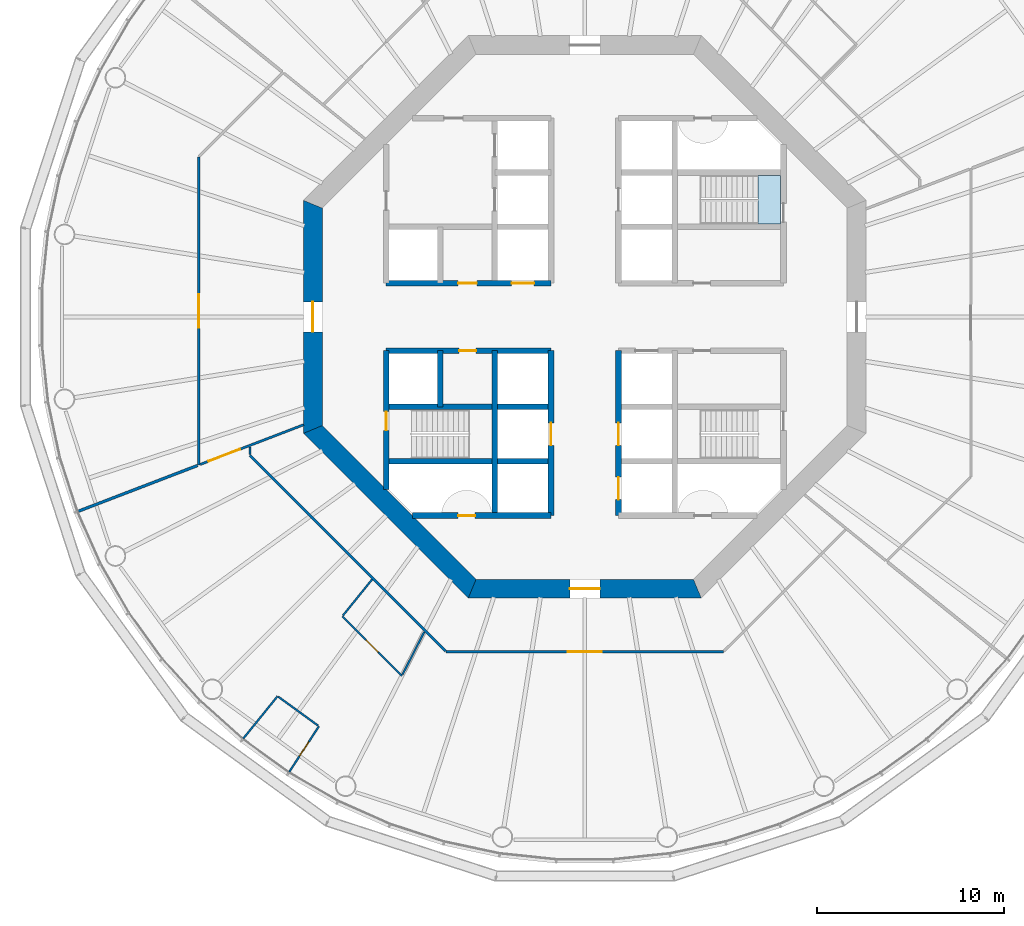
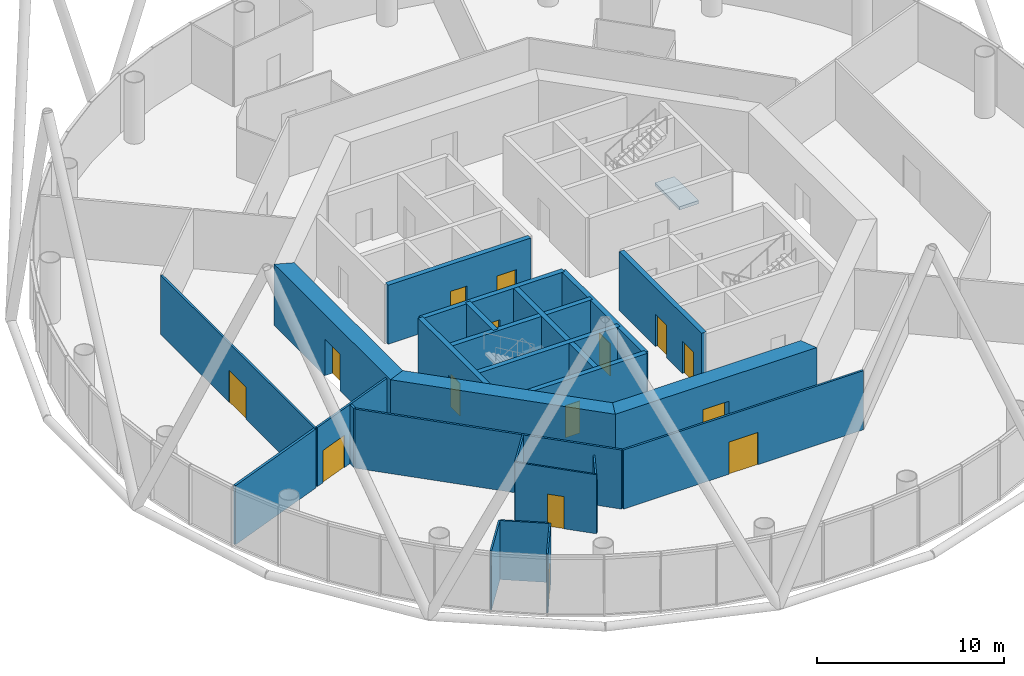
# One storey, part 3 of 12: 25 walls, 15 doors, 1 slab, 15 openings, 1 element without a shape of its own.
"""IFC4 building model written with IfcOpenShell, lengths in metres."""

import ifcopenshell
import ifcopenshell.guid

model = None  # the IFC model being written
_history = None  # IfcOwnerHistory: only IFC2X3 demands one
_inside = {}  # id of a spatial element -> (the spatial element, [elements in it])
_under = {}  # id of a project, library or spatial element -> (it, [spatial elements below it])
_declared = {}  # id of a project -> (the project, [libraries it declares])
_typed = {}  # id of a type object -> (the type object, [elements of that type])
_made_of = {}  # id of a material, layer set ... -> (it, [elements and type objects made of it])


def new_model(schema):
    """Start an empty IFC model of exactly this schema.

    Asked for "IFC4X3", IfcOpenShell would pick the latest addendum, in which some entities
    have other attributes; the version numbers below select the first issue.
    IFC2X3 requires an IfcOwnerHistory on every rooted entity: one is made here for all.
    """
    global model, _history
    if schema == "IFC4X3":
        model = ifcopenshell.file(schema_version=(4, 3, 0, 0))
    else:
        model = ifcopenshell.file(schema=schema)
    _inside.clear()
    _under.clear()
    _declared.clear()
    _typed.clear()
    _made_of.clear()
    _history = None
    if model.schema == "IFC2X3":
        org = make("IfcOrganization", Name="unknown")
        user = make(
            "IfcPersonAndOrganization",
            ThePerson=make("IfcPerson", FamilyName="unknown"),
            TheOrganization=org,
        )
        app = make(
            "IfcApplication",
            ApplicationDeveloper=org,
            Version="unknown",
            ApplicationFullName="unknown",
            ApplicationIdentifier="unknown",
        )
        _history = make(
            "IfcOwnerHistory",
            OwningUser=user,
            OwningApplication=app,
            ChangeAction="ADDED",
            CreationDate=0,
        )
    return model


def make(cls, **values):
    """One entity of the class cls with the attributes given. An attribute that is None is left unset."""
    return model.create_entity(
        cls, **{name: value for name, value in values.items() if value is not None}
    )


def rooted(cls, **values):
    """An entity with a GlobalId (a new one), such as an element, a storey or a relation."""
    return make(cls, GlobalId=ifcopenshell.guid.new(), OwnerHistory=_history, **values)


def si_unit(unit_type, name, prefix=None):
    """IfcSIUnit, for example si_unit("LENGTHUNIT", "METRE", prefix="MILLI")."""
    return make("IfcSIUnit", UnitType=unit_type, Prefix=prefix, Name=name)


def assignment(units):
    """IfcUnitAssignment: the units of a project."""
    return None if units is None else make("IfcUnitAssignment", Units=units)


def point(xyz):
    """IfcCartesianPoint."""
    return None if xyz is None else make("IfcCartesianPoint", Coordinates=xyz)


def direction(xyz):
    """IfcDirection."""
    return None if xyz is None else make("IfcDirection", DirectionRatios=xyz)


def frame(location, z_axis=None, x_axis=None):
    """IfcAxis2Placement3D, a coordinate frame: its origin and axes. An axis left out is left unset."""
    return make(
        "IfcAxis2Placement3D",
        Location=point(location),
        Axis=direction(z_axis),
        RefDirection=direction(x_axis),
    )


def frame_2d(location, x_axis=None):
    """IfcAxis2Placement2D, a coordinate frame in the plane: its origin and x axis."""
    return make(
        "IfcAxis2Placement2D", Location=point(location), RefDirection=direction(x_axis)
    )


def origin():
    """The frame at (0, 0, 0) with its axes left unset."""
    return frame((0.0, 0.0, 0.0))


def place(relative_to, where):
    """IfcLocalPlacement: puts the frame where relative to a parent placement (None: the world)."""
    return make(
        "IfcLocalPlacement", PlacementRelTo=relative_to, RelativePlacement=where
    )


def context(
    kind, dimensions, precision=None, world=None, true_north=None, identifier=None
):
    """IfcGeometricRepresentationContext, for example the 3D "Model" context."""
    return make(
        "IfcGeometricRepresentationContext",
        ContextIdentifier=identifier,
        ContextType=kind,
        CoordinateSpaceDimension=dimensions,
        Precision=precision,
        WorldCoordinateSystem=world,
        TrueNorth=true_north,
    )


def subcontext(parent, identifier, kind, view, scale=None):
    """IfcGeometricRepresentationSubContext, for example "Body" below "Model"."""
    return make(
        "IfcGeometricRepresentationSubContext",
        ContextIdentifier=identifier,
        ContextType=kind,
        ParentContext=parent,
        TargetScale=scale,
        TargetView=view,
    )


def project(units=None, contexts=None):
    """IfcProject with its units and contexts."""
    return rooted(
        "IfcProject",
        Name="project",
        RepresentationContexts=contexts,
        UnitsInContext=assignment(units),
    )


def spatial(cls, under=None, at=None, **own):
    """A site, building, storey or space (cls), placed at a placement, below another one or the project."""
    s = rooted(cls, ObjectPlacement=at, **own)
    if under is not None:
        _under.setdefault(under.id(), (under, []))[1].append(s)
    return s


def polyline(points):
    """IfcPolyline through the points."""
    return make("IfcPolyline", Points=[point(p) for p in points])


def profile(cls, at=None, kind="AREA", **sizes):
    """A parametric profile (cls). Its sizes go by their IFC names, for example OverallWidth=200.0."""
    return make(cls, ProfileType=kind, Position=at, **sizes)


def rectangle(**sizes):
    """IfcRectangleProfileDef."""
    return profile("IfcRectangleProfileDef", **sizes)


def outline(outer, holes=None, kind="AREA"):
    """IfcArbitraryClosedProfileDef: a profile drawn as a closed curve; with holes, ...WithVoids."""
    if holes is None:
        return make("IfcArbitraryClosedProfileDef", ProfileType=kind, OuterCurve=outer)
    return make(
        "IfcArbitraryProfileDefWithVoids",
        ProfileType=kind,
        OuterCurve=outer,
        InnerCurves=holes,
    )


def extrude(swept, where, along, depth):
    """IfcExtrudedAreaSolid: the profile swept, set in the frame where, extruded along a direction by depth."""
    return make(
        "IfcExtrudedAreaSolid",
        SweptArea=swept,
        Position=where,
        ExtrudedDirection=direction(along),
        Depth=depth,
    )


def shape(context_of_items, identifier, shape_type, items):
    """IfcShapeRepresentation: the items that make up one representation, for example the "Body"."""
    return make(
        "IfcShapeRepresentation",
        ContextOfItems=context_of_items,
        RepresentationIdentifier=identifier,
        RepresentationType=shape_type,
        Items=items,
    )


def material(Name=None, Category=None):
    """IfcMaterial."""
    return make("IfcMaterial", Name=Name, Category=Category)


def layer(
    of_material, thickness, ventilated=None, Name=None, Category=None, Priority=None
):
    """IfcMaterialLayer: one layer of a wall or slab, of a material (None: an air gap)."""
    return make(
        "IfcMaterialLayer",
        Material=of_material,
        LayerThickness=thickness,
        IsVentilated=ventilated,
        Name=Name,
        Category=Category,
        Priority=Priority,
    )


def layer_set(layers, Name=None):
    """IfcMaterialLayerSet."""
    return make("IfcMaterialLayerSet", MaterialLayers=layers, LayerSetName=Name)


def made_of(thing, what):
    """Note that an element or type object is made of a material, layer set ...; save() writes the relation."""
    if what is not None:
        _made_of.setdefault(what.id(), (what, []))[1].append(thing)
    return thing


def type_object(cls, material=None, **own):
    """A type object (cls), such as IfcWallType, which elements share."""
    return made_of(rooted(cls, **own), material)


def element(
    cls,
    number,
    at=None,
    inside=None,
    cuts=None,
    type_object=None,
    material=None,
    context=None,
    identifier="Body",
    shape_type=None,
    held_by="IfcProductDefinitionShape",
    body=None,
    shapes=None,
    **own,
):
    """One element of the class cls, such as IfcWall. Its Tag is "e" and its number.

    at: its placement. inside: the storey or other place that contains it. cuts: it is an
    opening in that element (IfcRelVoidsElement). A single representation is given by context,
    identifier, shape_type and body (its items); several are given by shapes. held_by: the class
    of the entity that holds the representations. save() writes the other relations.
    """
    e = rooted(cls, Tag="e%d" % number, ObjectPlacement=at, **own)
    if body is not None:
        shapes = [shape(context, identifier, shape_type, body)]
    if shapes is not None:
        e.Representation = make(held_by, Representations=shapes)
    if inside is not None:
        _inside.setdefault(inside.id(), (inside, []))[1].append(e)
    if cuts is not None:
        rooted(
            "IfcRelVoidsElement", RelatingBuildingElement=cuts, RelatedOpeningElement=e
        )
    if type_object is not None:
        _typed.setdefault(type_object.id(), (type_object, []))[1].append(e)
    return made_of(e, material)


def fill(opening, filler):
    """IfcRelFillsElement: the door or window that sits in an opening."""
    return rooted(
        "IfcRelFillsElement",
        RelatingOpeningElement=opening,
        RelatedBuildingElement=filler,
    )


def aggregate(whole, parts):
    """IfcRelAggregates: a whole, such as a stair, and the parts it consists of."""
    return rooted("IfcRelAggregates", RelatingObject=whole, RelatedObjects=parts)


def save(model, path):
    """Write the relations noted so far, then the file.

    IfcRelAggregates (storeys below a building ...), IfcRelContainedInSpatialStructure (elements
    in a storey), IfcRelDefinesByType, IfcRelAssociatesMaterial and IfcRelDeclares: one each for
    every whole, place, type object, material and project.
    """
    for whole, parts in _under.values():
        aggregate(whole, parts)
    for where, things in _inside.values():
        rooted(
            "IfcRelContainedInSpatialStructure",
            RelatedElements=things,
            RelatingStructure=where,
        )
    for kind, things in _typed.values():
        rooted("IfcRelDefinesByType", RelatedObjects=things, RelatingType=kind)
    for what, things in _made_of.values():
        rooted("IfcRelAssociatesMaterial", RelatedObjects=things, RelatingMaterial=what)
    for by, libraries in _declared.values():
        rooted("IfcRelDeclares", RelatingContext=by, RelatedDefinitions=libraries)
    model.write(path)


model = new_model("IFC4")

# Units and contexts
model_context = context("Model", 3, precision=1e-05, world=origin(), true_north=direction((0.0, 1.0)))
body_context = subcontext(model_context, "Body", "Model", "MODEL_VIEW")
ifc_project = project(units=[si_unit("LENGTHUNIT", "METRE"), si_unit("AREAUNIT", "SQUARE_METRE"), si_unit("VOLUMEUNIT", "CUBIC_METRE"), si_unit("PLANEANGLEUNIT", "RADIAN"), si_unit("MASSUNIT", "GRAM", prefix="KILO")], contexts=[model_context])

# Site, building, storey
site_placement = place(None, origin())
site = spatial("IfcSite", under=ifc_project, at=site_placement, CompositionType="ELEMENT")
building_placement = place(site_placement, origin())
building = spatial("IfcBuilding", under=site, at=building_placement, Name="Entoto Ring Tower", CompositionType="ELEMENT")
storey_placement = place(building_placement, frame((0.0, 0.0, 144.0)))
storey = spatial("IfcBuildingStorey", under=building, at=storey_placement, Name="L32", CompositionType="ELEMENT", Elevation=144.0)

# Stair, slab
ifc_material_1 = material(Name="Concrete C40/50", Category="concrete")
stair_type = type_object("IfcStairType", Name="Exit stair 1200 mm dog-leg reinforced concrete", PredefinedType="HALF_TURN_STAIR", material=ifc_material_1)
stair_placement = place(storey_placement, origin())
stair = element("IfcStair", 1, at=stair_placement, inside=storey, type_object=stair_type, Name="Exit stair 1", PredefinedType="HALF_TURN_STAIR")
ifc_material_2 = material(Name="Concrete C40/50", Category="concrete")
ifc_layer_1 = layer(ifc_material_2, 0.199951171875)
ifc_layer_set_1 = layer_set([ifc_layer_1], Name="Concrete C40/50")
slab_type = type_object("IfcSlabType", Name="Stair landing 200 mm reinforced concrete", PredefinedType="LANDING", material=ifc_layer_set_1)
slab_placement = place(storey_placement, frame((0.0, 0.0, -0.199951171875)))
slab = element("IfcSlab", 2, at=slab_placement, type_object=slab_type, Name="ST1 landing 1", PredefinedType="LANDING", context=body_context, shape_type="SweptSolid", body=[
    extrude(outline(polyline([(100.449951171875, 84.949951171875), (100.449951171875, 87.550048828125), (99.25, 87.550048828125), (99.25, 84.949951171875), (100.449951171875, 84.949951171875)])), origin(), (0.0, 0.0, 1.0), 0.199951171875),
])
aggregate(stair, [slab])

# Wall, openings, doors
ifc_material_3 = material(Name="Concrete C40/50", Category="concrete")
ifc_layer_2 = layer(ifc_material_3, 0.300048828125)
ifc_layer_set_2 = layer_set([ifc_layer_2], Name="Concrete C40/50")
wall_type_1 = type_object("IfcWallType", Name="Core enclosure wall 300 mm reinforced concrete", PredefinedType="SOLIDWALL", material=ifc_layer_set_2)
wall_1_placement = place(storey_placement, frame((91.800048828125, 69.39990234375, 0.0), z_axis=(0.0, 0.0, 1.0), x_axis=(0.0, 1.0, 0.0)))
wall_1 = element("IfcWall", 3, at=wall_1_placement, inside=storey, type_object=wall_type_1, Name="wall-L32-005", PredefinedType="SOLIDWALL", context=body_context, shape_type="SweptSolid", body=[
    extrude(rectangle(XDim=8.800048828125, YDim=0.300048828125, at=frame_2d((4.39990234375, 0.0))), origin(), (0.0, 0.0, 1.0), 3.85009765625),
])
opening_1_placement = place(wall_1_placement, frame((3.75, 0.0, 0.0)))
opening_1 = element("IfcOpeningElement", 4, at=opening_1_placement, cuts=wall_1, Name="Opening LD", PredefinedType="OPENING", context=body_context, shape_type="SweptSolid", body=[
    extrude(rectangle(XDim=1.199951171875, YDim=2.10009765625, at=frame_2d((0.60009765625, 1.050048828125))), frame((0.0, 0.16015625, 0.0), z_axis=(0.0, -1.0, 0.0), x_axis=(1.0, 0.0, 0.0)), (0.0, 0.0, 1.0), 0.320068359375),
])
opening_2_placement = place(wall_1_placement, frame((0.85009765625, 0.0, 0.0)))
opening_2 = element("IfcOpeningElement", 5, at=opening_2_placement, cuts=wall_1, Name="Opening LD", PredefinedType="OPENING", context=body_context, shape_type="SweptSolid", body=[
    extrude(rectangle(XDim=1.199951171875, YDim=2.10009765625, at=frame_2d((0.60009765625, 1.050048828125))), frame((0.0, 0.16015625, 0.0), z_axis=(0.0, -1.0, 0.0), x_axis=(1.0, 0.0, 0.0)), (0.0, 0.0, 1.0), 0.320068359375),
])
ifc_material_4 = material(Name="Steel and glass door leaf", Category="steel")
ifc_layer_3 = layer(ifc_material_4, 0.050048828125)
ifc_layer_set_3 = layer_set([ifc_layer_3], Name="Steel and glass door leaf")
door_type_1 = type_object("IfcDoorType", Name="Landing door 1200 x 2100 sliding", OperationType="DOUBLE_DOOR_SLIDING", PredefinedType="DOOR", material=ifc_layer_set_3)
door_1_placement = place(opening_1_placement, origin())
door_1 = element("IfcDoor", 6, at=door_1_placement, inside=storey, type_object=door_type_1, Name="Landing door LB2-MR", OperationType="SLIDING_TO_RIGHT", OverallHeight=2.10009765625, OverallWidth=1.199951171875, PredefinedType="DOOR", context=body_context, shape_type="SweptSolid", body=[
    extrude(rectangle(XDim=1.199951171875, YDim=2.10009765625, at=frame_2d((0.60009765625, 1.050048828125))), frame((0.0, 0.02490234375, 0.0), z_axis=(0.0, -1.0, 0.0), x_axis=(1.0, 0.0, 0.0)), (0.0, 0.0, 1.0), 0.050048828125),
])
fill(opening_1, door_1)
door_2_placement = place(opening_2_placement, origin())
door_2 = element("IfcDoor", 7, at=door_2_placement, inside=storey, type_object=door_type_1, Name="Landing door LB3-MR", OperationType="SLIDING_TO_RIGHT", OverallHeight=2.10009765625, OverallWidth=1.199951171875, PredefinedType="DOOR", context=body_context, shape_type="SweptSolid", body=[
    extrude(rectangle(XDim=1.199951171875, YDim=2.10009765625, at=frame_2d((0.60009765625, 1.050048828125))), frame((0.0, 0.02490234375, 0.0), z_axis=(0.0, -1.0, 0.0), x_axis=(1.0, 0.0, 0.0)), (0.0, 0.0, 1.0), 0.050048828125),
])
fill(opening_2, door_2)

# Wall, opening, door
wall_2_placement = place(storey_placement, frame((88.199951171875, 69.39990234375, 0.0), z_axis=(0.0, 0.0, 1.0), x_axis=(0.0, 1.0, 0.0)))
wall_2 = element("IfcWall", 8, at=wall_2_placement, inside=storey, type_object=wall_type_1, Name="wall-L32-007", PredefinedType="SOLIDWALL", context=body_context, shape_type="SweptSolid", body=[
    extrude(rectangle(XDim=8.800048828125, YDim=0.300048828125, at=frame_2d((4.39990234375, 0.0))), origin(), (0.0, 0.0, 1.0), 3.85009765625),
])
opening_3_placement = place(wall_2_placement, frame((3.75, 0.0, 0.0)))
opening_3 = element("IfcOpeningElement", 9, at=opening_3_placement, cuts=wall_2, Name="Opening LD", PredefinedType="OPENING", context=body_context, shape_type="SweptSolid", body=[
    extrude(rectangle(XDim=1.199951171875, YDim=2.10009765625, at=frame_2d((0.60009765625, 1.050048828125))), frame((0.0, 0.16015625, 0.0), z_axis=(0.0, -1.0, 0.0), x_axis=(1.0, 0.0, 0.0)), (0.0, 0.0, 1.0), 0.320068359375),
])
door_3_placement = place(opening_3_placement, origin())
door_3 = element("IfcDoor", 10, at=door_3_placement, inside=storey, type_object=door_type_1, Name="Landing door LB4-MR", OperationType="SLIDING_TO_RIGHT", OverallHeight=2.10009765625, OverallWidth=1.199951171875, PredefinedType="DOOR", context=body_context, shape_type="SweptSolid", body=[
    extrude(rectangle(XDim=1.199951171875, YDim=2.10009765625, at=frame_2d((0.60009765625, 1.050048828125))), frame((0.0, 0.02490234375, 0.0), z_axis=(0.0, -1.0, 0.0), x_axis=(1.0, 0.0, 0.0)), (0.0, 0.0, 1.0), 0.050048828125),
])
fill(opening_3, door_3)

# Walls
wall_3_placement = place(storey_placement, frame((85.199951171875, 69.39990234375, 0.0), z_axis=(0.0, 0.0, 1.0), x_axis=(0.0, 1.0, 0.0)))
element("IfcWall", 11, at=wall_3_placement, inside=storey, type_object=wall_type_1, Name="wall-L32-009", PredefinedType="SOLIDWALL", context=body_context, shape_type="SweptSolid", body=[
    extrude(rectangle(XDim=8.800048828125, YDim=0.300048828125, at=frame_2d((4.39990234375, 0.0))), origin(), (0.0, 0.0, 1.0), 3.85009765625),
])
wall_4_placement = place(storey_placement, frame((82.300048828125, 75.199951171875, 0.0), z_axis=(0.0, 0.0, 1.0), x_axis=(0.0, 1.0, 0.0)))
element("IfcWall", 12, at=wall_4_placement, inside=storey, type_object=wall_type_1, Name="wall-L32-011", PredefinedType="SOLIDWALL", context=body_context, shape_type="SweptSolid", body=[
    extrude(rectangle(XDim=3.0, YDim=0.300048828125, at=frame_2d((1.5, 0.0))), origin(), (0.0, 0.0, 1.0), 3.85009765625),
])

# Wall, opening, door
wall_5_placement = place(storey_placement, frame((79.39990234375, 70.801025390625, 0.0), z_axis=(0.0, 0.0, 1.0), x_axis=(0.0, 1.0, 0.0)))
wall_5 = element("IfcWall", 13, at=wall_5_placement, inside=storey, type_object=wall_type_1, Name="wall-L32-013", PredefinedType="SOLIDWALL", context=body_context, shape_type="SweptSolid", body=[
    extrude(rectangle(XDim=7.39892578125, YDim=0.300048828125, at=frame_2d((3.699462890625, 0.0))), origin(), (0.0, 0.0, 1.0), 3.85009765625),
])
opening_4_placement = place(wall_5_placement, frame((3.14892578125, 0.0, 0.0)))
opening_4 = element("IfcOpeningElement", 14, at=opening_4_placement, cuts=wall_5, Name="Opening K-55", PredefinedType="OPENING", context=body_context, shape_type="SweptSolid", body=[
    extrude(rectangle(XDim=1.0, YDim=2.10009765625, at=frame_2d((0.5, 1.050048828125))), frame((0.0, 0.16015625, 0.0), z_axis=(0.0, -1.0, 0.0), x_axis=(1.0, 0.0, 0.0)), (0.0, 0.0, 1.0), 0.320068359375),
])
ifc_material_5 = material(Name="Steel door leaf, fire rated", Category="steel")
ifc_layer_4 = layer(ifc_material_5, 0.050048828125)
ifc_layer_set_4 = layer_set([ifc_layer_4], Name="Steel door leaf, fire rated")
door_type_2 = type_object("IfcDoorType", Name="Fire door FD60 1000 x 2100 single leaf", OperationType="NOTDEFINED", PredefinedType="DOOR", material=ifc_layer_set_4)
door_4_placement = place(opening_4_placement, frame((1.0, 0.0, 0.0), z_axis=(0.0, 0.0, 1.0), x_axis=(-1.0, 0.0, 0.0)))
door_4 = element("IfcDoor", 15, at=door_4_placement, inside=storey, type_object=door_type_2, Name="Door K-55", OperationType="SINGLE_SWING_LEFT", OverallHeight=2.10009765625, OverallWidth=1.0, PredefinedType="DOOR", context=body_context, shape_type="SweptSolid", body=[
    extrude(rectangle(XDim=1.0, YDim=2.10009765625, at=frame_2d((0.5, 1.050048828125))), frame((0.0, 0.02490234375, 0.0), z_axis=(0.0, -1.0, 0.0), x_axis=(1.0, 0.0, 0.0)), (0.0, 0.0, 1.0), 0.050048828125),
])
fill(opening_4, door_4)

wall_6_placement = place(storey_placement, frame((80.801025390625, 69.39990234375, 0.0), z_axis=(0.0, 0.0, 1.0), x_axis=(1.0, 0.0, 0.0)))
wall_6 = element("IfcWall", 16, at=wall_6_placement, inside=storey, type_object=wall_type_1, Name="wall-L32-015", PredefinedType="SOLIDWALL", context=body_context, shape_type="SweptSolid", body=[
    extrude(rectangle(XDim=7.39892578125, YDim=0.300048828125, at=frame_2d((3.699462890625, 0.0))), origin(), (0.0, 0.0, 1.0), 3.85009765625),
])
opening_5_placement = place(wall_6_placement, frame((2.448974609375, 0.0, 0.0)))
opening_5 = element("IfcOpeningElement", 17, at=opening_5_placement, cuts=wall_6, Name="Opening K-62", PredefinedType="OPENING", context=body_context, shape_type="SweptSolid", body=[
    extrude(rectangle(XDim=0.89990234375, YDim=2.10009765625, at=frame_2d((0.449951171875, 1.050048828125))), frame((0.0, 0.16015625, 0.0), z_axis=(0.0, -1.0, 0.0), x_axis=(1.0, 0.0, 0.0)), (0.0, 0.0, 1.0), 0.320068359375),
])
ifc_material_6 = material(Name="Steel door leaf, fire rated", Category="steel")
ifc_layer_5 = layer(ifc_material_6, 0.050048828125)
ifc_layer_set_5 = layer_set([ifc_layer_5], Name="Steel door leaf, fire rated")
door_type_3 = type_object("IfcDoorType", Name="Riser door FD60 900 x 2100 single leaf", OperationType="NOTDEFINED", PredefinedType="DOOR", material=ifc_layer_set_5)
door_5_placement = place(opening_5_placement, origin())
door_5 = element("IfcDoor", 18, at=door_5_placement, inside=storey, type_object=door_type_3, Name="Door K-62", OperationType="SINGLE_SWING_RIGHT", OverallHeight=2.10009765625, OverallWidth=0.89990234375, PredefinedType="DOOR", context=body_context, shape_type="SweptSolid", body=[
    extrude(rectangle(XDim=0.89990234375, YDim=2.10009765625, at=frame_2d((0.449951171875, 1.050048828125))), frame((0.0, 0.02490234375, 0.0), z_axis=(0.0, -1.0, 0.0), x_axis=(1.0, 0.0, 0.0)), (0.0, 0.0, 1.0), 0.050048828125),
])
fill(opening_5, door_5)

# Walls
for number, where, z_axis, x_axis, name in (
    (19, (79.39990234375, 72.300048828125, 0.0), (0.0, 0.0, 1.0), (1.0, 0.0, 0.0), "wall-L32-017"),
    (20, (79.39990234375, 75.199951171875, 0.0), (0.0, 0.0, 1.0), (1.0, 0.0, 0.0), "wall-L32-019"),
):
    element("IfcWall", number, at=place(storey_placement, frame(where, z_axis=z_axis, x_axis=x_axis)), inside=storey, type_object=wall_type_1, Name=name, PredefinedType="SOLIDWALL", context=body_context, shape_type="SweptSolid", body=[
        extrude(rectangle(XDim=8.800048828125, YDim=0.300048828125, at=frame_2d((4.39990234375, 0.0))), origin(), (0.0, 0.0, 1.0), 3.85009765625),
    ])

# Wall, opening, door
wall_7_placement = place(storey_placement, frame((79.39990234375, 78.199951171875, 0.0), z_axis=(0.0, 0.0, 1.0), x_axis=(1.0, 0.0, 0.0)))
wall_7 = element("IfcWall", 21, at=wall_7_placement, inside=storey, type_object=wall_type_1, Name="wall-L32-021", PredefinedType="SOLIDWALL", context=body_context, shape_type="SweptSolid", body=[
    extrude(rectangle(XDim=8.800048828125, YDim=0.300048828125, at=frame_2d((4.39990234375, 0.0))), origin(), (0.0, 0.0, 1.0), 3.85009765625),
])
opening_6_placement = place(wall_7_placement, frame((3.89990234375, 0.0, 0.0)))
opening_6 = element("IfcOpeningElement", 22, at=opening_6_placement, cuts=wall_7, Name="Opening K-14", PredefinedType="OPENING", context=body_context, shape_type="SweptSolid", body=[
    extrude(rectangle(XDim=0.89990234375, YDim=2.10009765625, at=frame_2d((0.449951171875, 1.050048828125))), frame((0.0, 0.16015625, 0.0), z_axis=(0.0, -1.0, 0.0), x_axis=(1.0, 0.0, 0.0)), (0.0, 0.0, 1.0), 0.320068359375),
])
ifc_material_7 = material(Name="Steel door leaf, fire rated", Category="steel")
ifc_layer_6 = layer(ifc_material_7, 0.050048828125)
ifc_layer_set_6 = layer_set([ifc_layer_6], Name="Steel door leaf, fire rated")
door_type_4 = type_object("IfcDoorType", Name="Core door 900 x 2100 single leaf", OperationType="NOTDEFINED", PredefinedType="DOOR", material=ifc_layer_set_6)
door_6_placement = place(opening_6_placement, frame((0.89990234375, 0.0, 0.0), z_axis=(0.0, 0.0, 1.0), x_axis=(-1.0, 0.0, 0.0)))
door_6 = element("IfcDoor", 23, at=door_6_placement, inside=storey, type_object=door_type_4, Name="Door K-14", OperationType="SINGLE_SWING_LEFT", OverallHeight=2.10009765625, OverallWidth=0.89990234375, PredefinedType="DOOR", context=body_context, shape_type="SweptSolid", body=[
    extrude(rectangle(XDim=0.89990234375, YDim=2.10009765625, at=frame_2d((0.449951171875, 1.050048828125))), frame((0.0, 0.02490234375, 0.0), z_axis=(0.0, -1.0, 0.0), x_axis=(1.0, 0.0, 0.0)), (0.0, 0.0, 1.0), 0.050048828125),
])
fill(opening_6, door_6)

# Wall, openings, doors
wall_8_placement = place(storey_placement, frame((79.39990234375, 81.800048828125, 0.0), z_axis=(0.0, 0.0, 1.0), x_axis=(1.0, 0.0, 0.0)))
wall_8 = element("IfcWall", 24, at=wall_8_placement, inside=storey, type_object=wall_type_1, Name="wall-L32-023", PredefinedType="SOLIDWALL", context=body_context, shape_type="SweptSolid", body=[
    extrude(rectangle(XDim=8.800048828125, YDim=0.300048828125, at=frame_2d((4.39990234375, 0.0))), origin(), (0.0, 0.0, 1.0), 3.85009765625),
])
opening_7_placement = place(wall_8_placement, frame((6.699951171875, 0.0, 0.0)))
opening_7 = element("IfcOpeningElement", 25, at=opening_7_placement, cuts=wall_8, Name="Opening LD", PredefinedType="OPENING", context=body_context, shape_type="SweptSolid", body=[
    extrude(rectangle(XDim=1.199951171875, YDim=2.10009765625, at=frame_2d((0.60009765625, 1.050048828125))), frame((0.0, 0.16015625, 0.0), z_axis=(0.0, -1.0, 0.0), x_axis=(1.0, 0.0, 0.0)), (0.0, 0.0, 1.0), 0.320068359375),
])
opening_8_placement = place(wall_8_placement, frame((3.85009765625, 0.0, 0.0)))
opening_8 = element("IfcOpeningElement", 26, at=opening_8_placement, cuts=wall_8, Name="Opening K-13", PredefinedType="OPENING", context=body_context, shape_type="SweptSolid", body=[
    extrude(rectangle(XDim=1.0, YDim=2.10009765625, at=frame_2d((0.5, 1.050048828125))), frame((0.0, 0.16015625, 0.0), z_axis=(0.0, -1.0, 0.0), x_axis=(1.0, 0.0, 0.0)), (0.0, 0.0, 1.0), 0.320068359375),
])
ifc_material_8 = material(Name="Steel door leaf, fire rated", Category="steel")
ifc_layer_7 = layer(ifc_material_8, 0.050048828125)
ifc_layer_set_7 = layer_set([ifc_layer_7], Name="Steel door leaf, fire rated")
door_type_5 = type_object("IfcDoorType", Name="Accessible door 1000 x 2100 single leaf", OperationType="NOTDEFINED", PredefinedType="DOOR", material=ifc_layer_set_7)
door_7_placement = place(opening_8_placement, origin())
door_7 = element("IfcDoor", 27, at=door_7_placement, inside=storey, type_object=door_type_5, Name="Door K-13", OperationType="SINGLE_SWING_LEFT", OverallHeight=2.10009765625, OverallWidth=1.0, PredefinedType="DOOR", context=body_context, shape_type="SweptSolid", body=[
    extrude(rectangle(XDim=1.0, YDim=2.10009765625, at=frame_2d((0.5, 1.050048828125))), frame((0.0, 0.02490234375, 0.0), z_axis=(0.0, -1.0, 0.0), x_axis=(1.0, 0.0, 0.0)), (0.0, 0.0, 1.0), 0.050048828125),
])
fill(opening_8, door_7)
door_8_placement = place(opening_7_placement, origin())
door_8 = element("IfcDoor", 28, at=door_8_placement, inside=storey, type_object=door_type_1, Name="Landing door LB5-MR", OperationType="SLIDING_TO_LEFT", OverallHeight=2.10009765625, OverallWidth=1.199951171875, PredefinedType="DOOR", context=body_context, shape_type="SweptSolid", body=[
    extrude(rectangle(XDim=1.199951171875, YDim=2.10009765625, at=frame_2d((0.60009765625, 1.050048828125))), frame((0.0, 0.02490234375, 0.0), z_axis=(0.0, -1.0, 0.0), x_axis=(1.0, 0.0, 0.0)), (0.0, 0.0, 1.0), 0.050048828125),
])
fill(opening_7, door_8)

# Wall, opening, door
ifc_material_9 = material(Name="Concrete C50/60", Category="concrete")
ifc_layer_8 = layer(ifc_material_9, 1.0)
ifc_layer_set_8 = layer_set([ifc_layer_8], Name="Concrete C50/60")
wall_type_2 = type_object("IfcWallType", Name="Core shear wall 1000 mm reinforced concrete C50/60", PredefinedType="SHEAR", material=ifc_layer_set_8)
wall_9_placement = place(storey_placement, frame((75.5, 86.006103515625, 0.0), z_axis=(0.0, 0.0, 1.0), x_axis=(0.0, -1.0, 0.0)))
wall_9 = element("IfcWall", 29, at=wall_9_placement, inside=storey, type_object=wall_type_2, Name="wall-L32-core-4", PredefinedType="SHEAR", context=body_context, shape_type="SweptSolid", body=[
    extrude(outline(polyline([(-0.20703125, -0.5), (12.21923828125, -0.5), (11.80517578125, 0.5), (0.20703125, 0.5), (-0.20703125, -0.5)])), origin(), (0.0, 0.0, 1.0), 4.0),
])
opening_9_placement = place(wall_9_placement, frame((5.2060546875, 0.0, 0.0)))
opening_9 = element("IfcOpeningElement", 30, at=opening_9_placement, cuts=wall_9, Name="Opening K-03", PredefinedType="OPENING", context=body_context, shape_type="SweptSolid", body=[
    extrude(rectangle(XDim=1.60009765625, YDim=2.39990234375, at=frame_2d((0.800048828125, 1.199951171875))), frame((0.0, 0.510009765625, 0.0), z_axis=(0.0, -1.0, 0.0), x_axis=(1.0, 0.0, 0.0)), (0.0, 0.0, 1.0), 1.02001953125),
])
ifc_material_10 = material(Name="Steel door leaf, fire rated", Category="steel")
ifc_layer_9 = layer(ifc_material_10, 0.050048828125)
ifc_layer_set_9 = layer_set([ifc_layer_9], Name="Steel door leaf, fire rated")
door_type_6 = type_object("IfcDoorType", Name="Entrance door FD60 1600 x 2400 double leaf", OperationType="DOUBLE_DOOR_SINGLE_SWING", PredefinedType="DOOR", material=ifc_layer_set_9)
door_9_placement = place(opening_9_placement, origin())
door_9 = element("IfcDoor", 31, at=door_9_placement, inside=storey, type_object=door_type_6, Name="Entrance door K-03", OperationType="DOUBLE_DOOR_SINGLE_SWING", OverallHeight=2.39990234375, OverallWidth=1.60009765625, PredefinedType="DOOR", context=body_context, shape_type="SweptSolid", body=[
    extrude(rectangle(XDim=1.60009765625, YDim=2.39990234375, at=frame_2d((0.800048828125, 1.199951171875))), frame((0.0, 0.02490234375, 0.0), z_axis=(0.0, -1.0, 0.0), x_axis=(1.0, 0.0, 0.0)), (0.0, 0.0, 1.0), 0.050048828125),
])
fill(opening_9, door_9)

# Wall
wall_10_placement = place(storey_placement, frame((75.5, 73.993896484375, 0.0), z_axis=(0.0, 0.0, 1.0), x_axis=(0.707106781187, -0.707106781187, 0.0)))
element("IfcWall", 32, at=wall_10_placement, inside=storey, type_object=wall_type_2, Name="wall-L32-core-5", PredefinedType="SHEAR", context=body_context, shape_type="SweptSolid", body=[
    extrude(outline(polyline([(-0.20703125, -0.5), (12.21923828125, -0.5), (11.80517578125, 0.5), (0.20703125, 0.5), (-0.20703125, -0.5)])), origin(), (0.0, 0.0, 1.0), 4.0),
])

# Wall, opening, door
wall_11_placement = place(storey_placement, frame((83.993896484375, 65.5, 0.0), z_axis=(0.0, 0.0, 1.0), x_axis=(1.0, 0.0, 0.0)))
wall_11 = element("IfcWall", 33, at=wall_11_placement, inside=storey, type_object=wall_type_2, Name="wall-L32-core-6", PredefinedType="SHEAR", context=body_context, shape_type="SweptSolid", body=[
    extrude(outline(polyline([(-0.20703125, -0.5), (12.21923828125, -0.5), (11.80517578125, 0.5), (0.20703125, 0.5), (-0.20703125, -0.5)])), origin(), (0.0, 0.0, 1.0), 4.0),
])
opening_10_placement = place(wall_11_placement, frame((5.2060546875, 0.0, 0.0)))
opening_10 = element("IfcOpeningElement", 34, at=opening_10_placement, cuts=wall_11, Name="Opening K-04", PredefinedType="OPENING", context=body_context, shape_type="SweptSolid", body=[
    extrude(rectangle(XDim=1.60009765625, YDim=2.39990234375, at=frame_2d((0.800048828125, 1.199951171875))), frame((0.0, 0.510009765625, 0.0), z_axis=(0.0, -1.0, 0.0), x_axis=(1.0, 0.0, 0.0)), (0.0, 0.0, 1.0), 1.02001953125),
])
door_10_placement = place(opening_10_placement, origin())
door_10 = element("IfcDoor", 35, at=door_10_placement, inside=storey, type_object=door_type_6, Name="Entrance door K-04", OperationType="DOUBLE_DOOR_SINGLE_SWING", OverallHeight=2.39990234375, OverallWidth=1.60009765625, PredefinedType="DOOR", context=body_context, shape_type="SweptSolid", body=[
    extrude(rectangle(XDim=1.60009765625, YDim=2.39990234375, at=frame_2d((0.800048828125, 1.199951171875))), frame((0.0, 0.02490234375, 0.0), z_axis=(0.0, -1.0, 0.0), x_axis=(1.0, 0.0, 0.0)), (0.0, 0.0, 1.0), 0.050048828125),
])
fill(opening_10, door_10)

ifc_material_11 = material(Name="Fire-resisting plasterboard on steel studs", Category="steel")
ifc_layer_10 = layer(ifc_material_11, 0.125)
ifc_layer_set_10 = layer_set([ifc_layer_10], Name="Fire-resisting plasterboard on steel studs")
wall_type_3 = type_object("IfcWallType", Name="Corridor wall 125 mm one-hour plasterboard on steel studs", PredefinedType="PARTITIONING", material=ifc_layer_set_10)
wall_12_placement = place(storey_placement, frame((69.39990234375, 72.09228515625, 0.0), z_axis=(0.0, 0.0, 1.0), x_axis=(0.0, 1.0, 0.0)))
wall_12 = element("IfcWall", 36, at=wall_12_placement, inside=storey, type_object=wall_type_3, Name="partition-L32-001", PredefinedType="PARTITIONING", context=body_context, shape_type="SweptSolid", body=[
    extrude(rectangle(XDim=16.4404296875, YDim=0.125, at=frame_2d((8.22021484375, 0.0))), origin(), (0.0, 0.0, 1.0), 3.85009765625),
])
opening_11_placement = place(wall_12_placement, frame((7.3203125, 0.0, 0.0)))
opening_11 = element("IfcOpeningElement", 37, at=opening_11_placement, cuts=wall_12, Name="Opening A15-D02", PredefinedType="OPENING", context=body_context, shape_type="SweptSolid", body=[
    extrude(rectangle(XDim=1.800048828125, YDim=2.10009765625, at=frame_2d((0.89990234375, 1.050048828125))), frame((0.0, 0.072509765625, 0.0), z_axis=(0.0, -1.0, 0.0), x_axis=(1.0, 0.0, 0.0)), (0.0, 0.0, 1.0), 0.14501953125),
])
ifc_material_12 = material(Name="Fire-resisting timber door set", Category="wood")
door_type_7 = type_object("IfcDoorType", Name="Door 1800 x 2100 double leaf FD30S fire door", OperationType="DOUBLE_DOOR_SINGLE_SWING", PredefinedType="DOOR", material=ifc_material_12)
door_11_placement = place(opening_11_placement, origin())
door_11 = element("IfcDoor", 38, at=door_11_placement, inside=storey, type_object=door_type_7, Name="Door A15-D02", OperationType="DOUBLE_DOOR_SINGLE_SWING", OverallHeight=2.10009765625, OverallWidth=1.800048828125, PredefinedType="DOOR", context=body_context, shape_type="SweptSolid", body=[
    extrude(rectangle(XDim=1.800048828125, YDim=2.10009765625, at=frame_2d((0.89990234375, 1.050048828125))), frame((0.0, 0.02490234375, 0.0), z_axis=(0.0, -1.0, 0.0), x_axis=(1.0, 0.0, 0.0)), (0.0, 0.0, 1.0), 0.050048828125),
])
fill(opening_11, door_11)

wall_13_placement = place(storey_placement, frame((82.60107421875, 62.137451171875, 0.0), z_axis=(0.0, 0.0, 1.0), x_axis=(1.0, 0.0, 0.0)))
wall_13 = element("IfcWall", 39, at=wall_13_placement, inside=storey, type_object=wall_type_3, Name="partition-L32-003", PredefinedType="PARTITIONING", context=body_context, shape_type="SweptSolid", body=[
    extrude(rectangle(XDim=14.7978515625, YDim=0.125, at=frame_2d((7.39892578125, 0.0))), origin(), (0.0, 0.0, 1.0), 3.85009765625),
])
opening_12_placement = place(wall_13_placement, frame((6.498779296875, 0.0, 0.0)))
opening_12 = element("IfcOpeningElement", 40, at=opening_12_placement, cuts=wall_13, Name="Opening A15-D09", PredefinedType="OPENING", context=body_context, shape_type="SweptSolid", body=[
    extrude(rectangle(XDim=1.800048828125, YDim=2.10009765625, at=frame_2d((0.89990234375, 1.050048828125))), frame((0.0, 0.072509765625, 0.0), z_axis=(0.0, -1.0, 0.0), x_axis=(1.0, 0.0, 0.0)), (0.0, 0.0, 1.0), 0.14501953125),
])
door_12_placement = place(opening_12_placement, origin())
door_12 = element("IfcDoor", 41, at=door_12_placement, inside=storey, type_object=door_type_7, Name="Door A15-D09", OperationType="DOUBLE_DOOR_SINGLE_SWING", OverallHeight=2.10009765625, OverallWidth=1.800048828125, PredefinedType="DOOR", context=body_context, shape_type="SweptSolid", body=[
    extrude(rectangle(XDim=1.800048828125, YDim=2.10009765625, at=frame_2d((0.89990234375, 1.050048828125))), frame((0.0, 0.02490234375, 0.0), z_axis=(0.0, -1.0, 0.0), x_axis=(1.0, 0.0, 0.0)), (0.0, 0.0, 1.0), 0.050048828125),
])
fill(opening_12, door_12)

# Wall
wall_14_placement = place(storey_placement, frame((82.570068359375, 62.168701171875, 0.0), z_axis=(0.0, 0.0, 1.0), x_axis=(-0.707115054973, 0.707098507303, 0.0)))
element("IfcWall", 42, at=wall_14_placement, inside=storey, type_object=wall_type_3, Name="partition-L32-005", PredefinedType="PARTITIONING", context=body_context, shape_type="SweptSolid", body=[
    extrude(rectangle(XDim=14.753662109375, YDim=0.125, at=frame_2d((7.376953125, 0.0))), origin(), (0.0, 0.0, 1.0), 3.85009765625),
])

# Wall, opening, door
wall_15_placement = place(storey_placement, frame((69.484619140625, 72.125, 0.0), z_axis=(0.0, 0.0, 1.0), x_axis=(0.933592488158, 0.358336526264, 0.0)))
wall_15 = element("IfcWall", 43, at=wall_15_placement, inside=storey, type_object=wall_type_3, Name="partition-L32-011", PredefinedType="PARTITIONING", context=body_context, shape_type="SweptSolid", body=[
    extrude(rectangle(XDim=5.90771484375, YDim=0.125, at=frame_2d((2.953857421875, 0.0))), origin(), (0.0, 0.0, 1.0), 3.85009765625),
])
opening_13_placement = place(wall_15_placement, frame((0.475341796875, 0.0, 0.0)))
opening_13 = element("IfcOpeningElement", 44, at=opening_13_placement, cuts=wall_15, Name="Opening A15-D10", PredefinedType="OPENING", context=body_context, shape_type="SweptSolid", body=[
    extrude(rectangle(XDim=1.800048828125, YDim=2.10009765625, at=frame_2d((0.89990234375, 1.050048828125))), frame((0.0, 0.072509765625, 0.0), z_axis=(0.0, -1.0, 0.0), x_axis=(1.0, 0.0, 0.0)), (0.0, 0.0, 1.0), 0.14501953125),
])
door_13_placement = place(opening_13_placement, origin())
door_13 = element("IfcDoor", 45, at=door_13_placement, inside=storey, type_object=door_type_7, Name="Door A15-D10", OperationType="DOUBLE_DOOR_SINGLE_SWING", OverallHeight=2.10009765625, OverallWidth=1.800048828125, PredefinedType="DOOR", context=body_context, shape_type="SweptSolid", body=[
    extrude(rectangle(XDim=1.800048828125, YDim=2.10009765625, at=frame_2d((0.89990234375, 1.050048828125))), frame((0.0, 0.02490234375, 0.0), z_axis=(0.0, -1.0, 0.0), x_axis=(1.0, 0.0, 0.0)), (0.0, 0.0, 1.0), 0.050048828125),
])
fill(opening_13, door_13)

# Wall
wall_16_placement = place(storey_placement, frame((72.137451171875, 72.64501953125, 0.0), z_axis=(0.0, 0.0, 1.0), x_axis=(0.0, 1.0, 0.0)))
element("IfcWall", 46, at=wall_16_placement, inside=storey, type_object=wall_type_3, Name="partition-L32-015", PredefinedType="PARTITIONING", context=body_context, shape_type="SweptSolid", body=[
    extrude(rectangle(XDim=0.407470703125, YDim=0.125, at=frame_2d((0.20361328125, 0.0))), origin(), (0.0, 0.0, 1.0), 3.85009765625),
])

# Wall, opening, door
ifc_material_13 = material(Name="Plasterboard on steel studs", Category="steel")
ifc_layer_11 = layer(ifc_material_13, 0.10009765625)
ifc_layer_set_11 = layer_set([ifc_layer_11], Name="Plasterboard on steel studs")
wall_type_4 = type_object("IfcWallType", Name="Partition 100 mm plasterboard on steel studs", PredefinedType="PARTITIONING", material=ifc_layer_set_11)
wall_17_placement = place(storey_placement, frame((80.24169921875, 60.84814453125, 0.0), z_axis=(0.0, 0.0, 1.0), x_axis=(-0.707106781187, 0.707106781187, 0.0)))
wall_17 = element("IfcWall", 47, at=wall_17_placement, inside=storey, type_object=wall_type_4, Name="partition-L32-024", PredefinedType="PARTITIONING", context=body_context, shape_type="SweptSolid", body=[
    extrude(rectangle(XDim=4.49365234375, YDim=0.10009765625, at=frame_2d((2.246826171875, 0.0))), origin(), (0.0, 0.0, 1.0), 3.85009765625),
])
opening_14_placement = place(wall_17_placement, frame((1.796875, 0.0, 0.0)))
opening_14 = element("IfcOpeningElement", 48, at=opening_14_placement, cuts=wall_17, Name="Opening A15-D11", PredefinedType="OPENING", context=body_context, shape_type="SweptSolid", body=[
    extrude(rectangle(XDim=0.89990234375, YDim=2.10009765625, at=frame_2d((0.449951171875, 1.050048828125))), frame((0.0, 0.06005859375, 0.0), z_axis=(0.0, -1.0, 0.0), x_axis=(1.0, 0.0, 0.0)), (0.0, 0.0, 1.0), 0.1201171875),
])
ifc_material_14 = material(Name="Veneered timber door leaf in timber frame", Category="wood")
door_type_8 = type_object("IfcDoorType", Name="Door 900 x 2100 single leaf timber veneer", OperationType="NOTDEFINED", PredefinedType="DOOR", material=ifc_material_14)
door_14_placement = place(opening_14_placement, frame((0.89990234375, 0.0, 0.0), z_axis=(0.0, 0.0, 1.0), x_axis=(-1.0, 0.0, 0.0)))
door_14 = element("IfcDoor", 49, at=door_14_placement, inside=storey, type_object=door_type_8, Name="Door A15-D11", OperationType="SINGLE_SWING_RIGHT", OverallHeight=2.10009765625, OverallWidth=0.89990234375, PredefinedType="DOOR", context=body_context, shape_type="SweptSolid", body=[
    extrude(rectangle(XDim=0.89990234375, YDim=2.10009765625, at=frame_2d((0.449951171875, 1.050048828125))), frame((0.0, 0.02490234375, 0.0), z_axis=(0.0, -1.0, 0.0), x_axis=(1.0, 0.0, 0.0)), (0.0, 0.0, 1.0), 0.050048828125),
])
fill(opening_14, door_14)

wall_18_placement = place(storey_placement, frame((74.238037109375, 55.72900390625, 0.0), z_axis=(0.0, 0.0, 1.0), x_axis=(0.544713111227, 0.83862245764, 0.0)))
wall_18 = element("IfcWall", 50, at=wall_18_placement, inside=storey, type_object=wall_type_4, Name="partition-L32-030", PredefinedType="PARTITIONING", context=body_context, shape_type="SweptSolid", body=[
    extrude(rectangle(XDim=2.89990234375, YDim=0.10009765625, at=frame_2d((1.449951171875, 0.0))), origin(), (0.0, 0.0, 1.0), 3.85009765625),
])
opening_15_placement = place(wall_18_placement, frame((1.0, 0.0, 0.0)))
opening_15 = element("IfcOpeningElement", 51, at=opening_15_placement, cuts=wall_18, Name="Opening A15-D12", PredefinedType="OPENING", context=body_context, shape_type="SweptSolid", body=[
    extrude(rectangle(XDim=0.89990234375, YDim=2.10009765625, at=frame_2d((0.449951171875, 1.050048828125))), frame((0.0, 0.06005859375, 0.0), z_axis=(0.0, -1.0, 0.0), x_axis=(1.0, 0.0, 0.0)), (0.0, 0.0, 1.0), 0.1201171875),
])
door_15_placement = place(opening_15_placement, origin())
door_15 = element("IfcDoor", 52, at=door_15_placement, inside=storey, type_object=door_type_8, Name="Door A15-D12", OperationType="SINGLE_SWING_LEFT", OverallHeight=2.10009765625, OverallWidth=0.89990234375, PredefinedType="DOOR", context=body_context, shape_type="SweptSolid", body=[
    extrude(rectangle(XDim=0.89990234375, YDim=2.10009765625, at=frame_2d((0.449951171875, 1.050048828125))), frame((0.0, 0.02490234375, 0.0), z_axis=(0.0, -1.0, 0.0), x_axis=(1.0, 0.0, 0.0)), (0.0, 0.0, 1.0), 0.050048828125),
])
fill(opening_15, door_15)

# Walls
wall_19_placement = place(storey_placement, frame((71.78759765625, 57.509521484375, 0.0), z_axis=(0.0, 0.0, 1.0), x_axis=(0.62931447196, 0.777150754604, 0.0)))
element("IfcWall", 53, at=wall_19_placement, inside=storey, type_object=wall_type_4, Name="partition-L32-031", PredefinedType="PARTITIONING", context=body_context, shape_type="SweptSolid", body=[
    extrude(rectangle(XDim=2.89990234375, YDim=0.10009765625, at=frame_2d((1.449951171875, 0.0))), origin(), (0.0, 0.0, 1.0), 3.85009765625),
])
wall_20_placement = place(storey_placement, frame((75.777099609375, 58.1904296875, 0.0), z_axis=(0.0, 0.0, 1.0), x_axis=(-0.809001366161, 0.587806762082, 0.0)))
element("IfcWall", 54, at=wall_20_placement, inside=storey, type_object=wall_type_4, Name="partition-L32-033", PredefinedType="PARTITIONING", context=body_context, shape_type="SweptSolid", body=[
    extrude(rectangle(XDim=2.625732421875, YDim=0.10009765625, at=frame_2d((1.31298828125, 0.0))), origin(), (0.0, 0.0, 1.0), 3.85009765625),
])
wall_21_placement = place(storey_placement, frame((77.095458984375, 64.064208984375, 0.0), z_axis=(0.0, 0.0, 1.0), x_axis=(0.629300308727, 0.777162223372, 0.0)))
element("IfcWall", 55, at=wall_21_placement, inside=storey, type_object=wall_type_4, Name="partition-L32-039", PredefinedType="PARTITIONING", context=body_context, shape_type="SweptSolid", body=[
    extrude(rectangle(XDim=2.476806640625, YDim=0.10009765625, at=frame_2d((1.23828125, 0.0))), origin(), (0.0, 0.0, 1.0), 3.85009765625),
])
ifc_material_15 = material(Name="Plasterboard on steel studs", Category="steel")
ifc_layer_12 = layer(ifc_material_15, 0.10009765625)
ifc_layer_set_12 = layer_set([ifc_layer_12], Name="Plasterboard on steel studs")
wall_type_5 = type_object("IfcWallType", Name="Partition 100 mm plasterboard on steel studs, 3250 mm high", PredefinedType="PARTITIONING", material=ifc_layer_set_12)
wall_22_placement = place(storey_placement, frame((80.27294921875, 60.909423828125, 0.0), z_axis=(0.0, 0.0, 1.0), x_axis=(0.45394719258, 0.891028588963, 0.0)))
element("IfcWall", 56, at=wall_22_placement, inside=storey, type_object=wall_type_5, Name="partition-L32-035", PredefinedType="PARTITIONING", context=body_context, shape_type="SweptSolid", body=[
    extrude(rectangle(XDim=2.562255859375, YDim=0.10009765625, at=frame_2d((1.28125, 0.0))), origin(), (0.0, 0.0, 1.0), 3.25),
])
ifc_material_16 = material(Name="Fire-resisting acoustic plasterboard on steel studs", Category="steel")
ifc_layer_13 = layer(ifc_material_16, 0.14990234375)
ifc_layer_set_13 = layer_set([ifc_layer_13], Name="Fire-resisting acoustic plasterboard on steel studs")
wall_type_6 = type_object("IfcWallType", Name="Party wall 150 mm one-hour acoustic plasterboard on steel studs", PredefinedType="PARTITIONING", material=ifc_layer_set_13)
wall_23_placement = place(storey_placement, frame((62.982177734375, 69.62890625, 0.0), z_axis=(0.0, 0.0, 1.0), x_axis=(0.933585412346, 0.358354960695, 0.0)))
element("IfcWall", 57, at=wall_23_placement, inside=storey, type_object=wall_type_6, Name="partition-L32-020", PredefinedType="PARTITIONING", context=body_context, shape_type="SweptSolid", body=[
    extrude(rectangle(XDim=6.816162109375, YDim=0.14990234375, at=frame_2d((3.408203125, 0.0))), origin(), (0.0, 0.0, 1.0), 3.85009765625),
])

save(model, "model.ifc")
